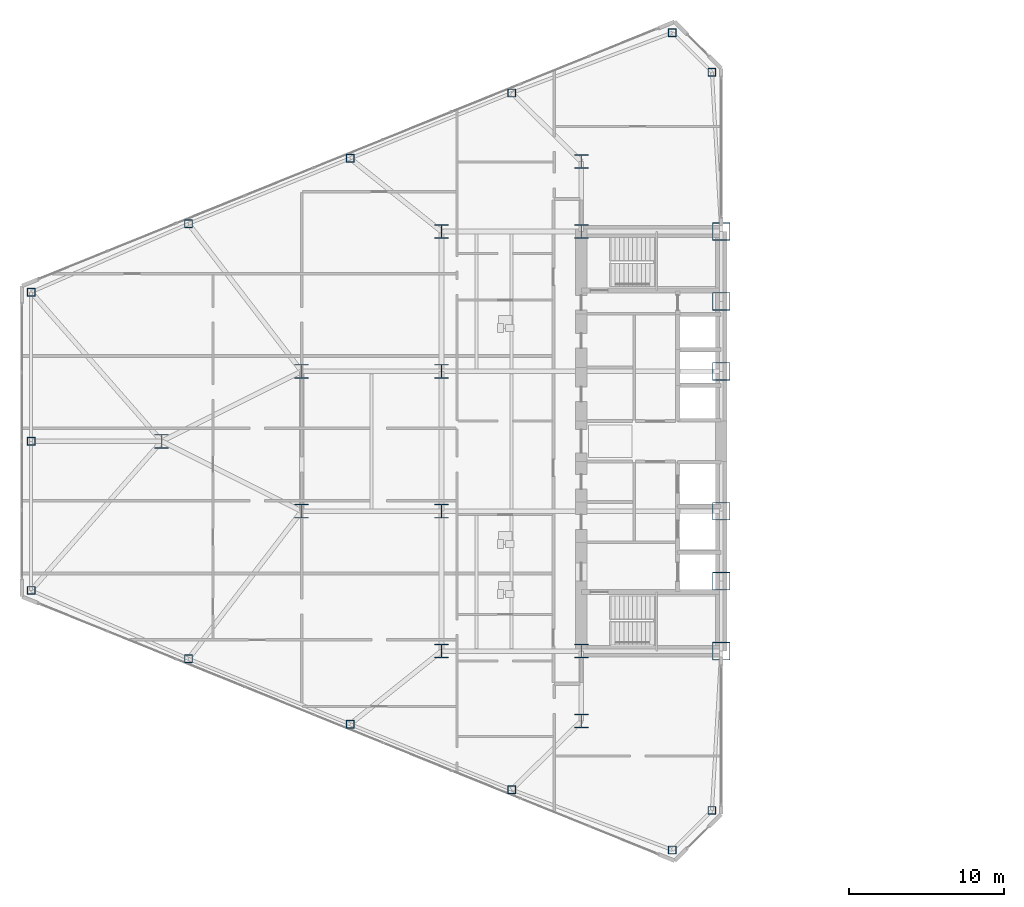
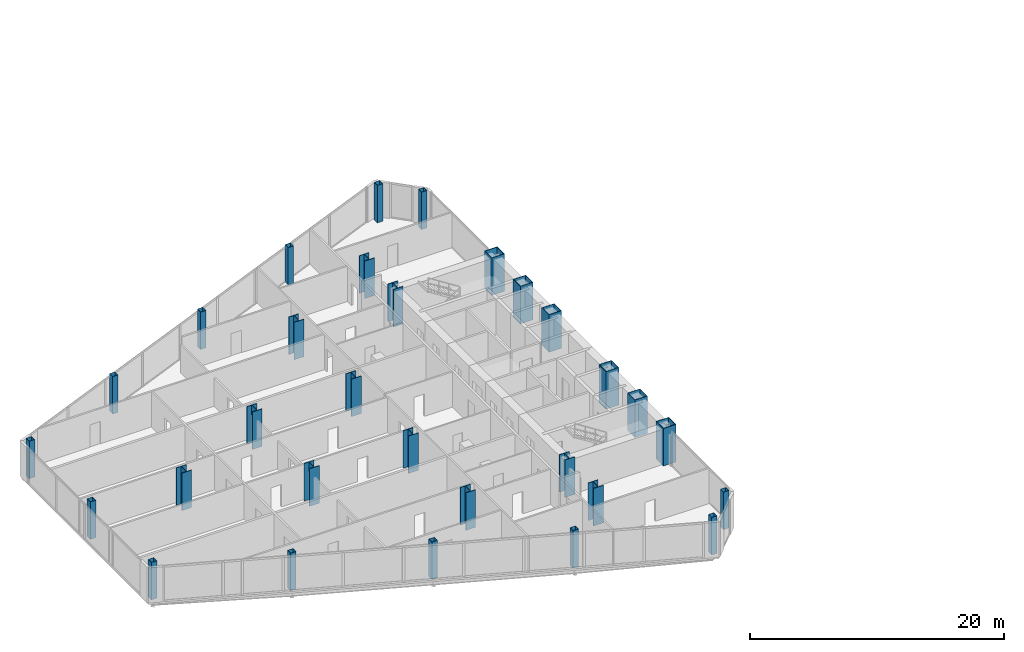
# One storey, part 1 of 25: 30 columns.
"""IFC4 building model written with IfcOpenShell, lengths in metres."""

from ifc_helpers import new_model, si_unit, direction, frame, origin, origin_2d, place, context, subcontext, project, spatial, hollow_rectangle, i_section, extrude, source, transform, mapped, material, material_profile, profile_set, type_object, type_shapes, element, save


model = new_model("IFC4")

# Units and contexts
model_context = context("Model", 3, precision=1e-05, world=origin(), true_north=direction((0.0, 1.0)))
body_context = subcontext(model_context, "Body", "Model", "MODEL_VIEW")
ifc_project = project(units=[si_unit("LENGTHUNIT", "METRE"), si_unit("AREAUNIT", "SQUARE_METRE"), si_unit("VOLUMEUNIT", "CUBIC_METRE"), si_unit("PLANEANGLEUNIT", "RADIAN"), si_unit("MASSUNIT", "GRAM", prefix="KILO")], contexts=[model_context])

# Site, building, storey
site_placement = place(None, origin())
site = spatial("IfcSite", under=ifc_project, at=site_placement, CompositionType="ELEMENT")
building_placement = place(site_placement, origin())
building = spatial("IfcBuilding", under=site, at=building_placement, Name="Seokmaru Belvedere", CompositionType="ELEMENT")
storey_placement = place(building_placement, frame((0.0, 0.0, 47.699951171875)))
storey = spatial("IfcBuildingStorey", under=building, at=storey_placement, Name="L12", CompositionType="ELEMENT", Elevation=47.699951171875)

# Columns
ifc_material_1 = material(Name="Steel HSA650 (650 MPa)", Category="steel")
ifc_material_profile_1 = material_profile(ifc_material_1, hollow_rectangle(XDim=1.14990234375, YDim=1.14990234375, WallThickness=0.048095703125, at=origin_2d()), Name="BOX-1150x1150x48")
ifc_profile_set_1 = profile_set([ifc_material_profile_1], Name="Steel HSA650 (650 MPa)")
column_type_1 = type_object("IfcColumnType", Name="Portal Spine Column BOX-1150", PredefinedType="COLUMN", material=ifc_profile_set_1)
shared_shape_1 = source(origin(), body_context, "Body", "SweptSolid", [
    extrude(hollow_rectangle(XDim=1.14990234375, YDim=1.14990234375, WallThickness=0.048095703125, at=origin_2d()), origin(), (0.0, 0.0, 1.0), 3.60009765625),
])
type_shapes(column_type_1, [shared_shape_1])
for number, where, z_axis, x_axis, name in (
    (1, (-27.5, -13.5, 0.0), (0.0, 0.0, 1.0), (1.0, 0.0, 0.0), "L12 Column WS1"),
    (2, (-27.5, -9.0, 0.0), (0.0, 0.0, 1.0), (1.0, 0.0, 0.0), "L12 Column WS2"),
    (3, (-27.5, -4.5, 0.0), (0.0, 0.0, 1.0), (1.0, 0.0, 0.0), "L12 Column WS3"),
    (4, (-27.5, 4.5, 0.0), (0.0, 0.0, 1.0), (1.0, 0.0, 0.0), "L12 Column WS4"),
    (5, (-27.5, 9.0, 0.0), (0.0, 0.0, 1.0), (1.0, 0.0, 0.0), "L12 Column WS5"),
    (6, (-27.5, 13.5, 0.0), (0.0, 0.0, 1.0), (1.0, 0.0, 0.0), "L12 Column WS6"),
):
    element("IfcColumn", number, at=place(storey_placement, frame(where, z_axis=z_axis, x_axis=x_axis)), inside=storey, type_object=column_type_1, Name=name, PredefinedType="COLUMN", context=body_context, shape_type="MappedRepresentation", body=[
        mapped(shared_shape_1, transform((0.0, 0.0, 0.0), scale=1.0)),
    ])
ifc_material_profile_2 = material_profile(ifc_material_1, i_section(OverallWidth=0.89990234375, OverallDepth=0.89990234375, WebThickness=0.035888671875, FlangeThickness=0.054931640625, at=origin_2d()), Name="H-900x900x36x55")
ifc_profile_set_2 = profile_set([ifc_material_profile_2], Name="Steel HSA650 (650 MPa)")
column_type_2 = type_object("IfcColumnType", Name="Lower Interior Column H-900", PredefinedType="COLUMN", material=ifc_profile_set_2)
shared_shape_2 = source(origin(), body_context, "Body", "SweptSolid", [
    extrude(i_section(OverallWidth=0.89990234375, OverallDepth=0.89990234375, WebThickness=0.035888671875, FlangeThickness=0.054931640625, at=origin_2d()), origin(), (0.0, 0.0, 1.0), 3.60009765625),
])
type_shapes(column_type_2, [shared_shape_2])
for number, where, z_axis, x_axis, name in (
    (7, (-36.5, -18.0, 0.0), (0.0, 0.0, 1.0), (1.0, 0.0, 0.0), "L12 Column WC1"),
    (8, (-36.5, -13.5, 0.0), (0.0, 0.0, 1.0), (1.0, 0.0, 0.0), "L12 Column WC2"),
    (9, (-36.5, 13.5, 0.0), (0.0, 0.0, 1.0), (1.0, 0.0, 0.0), "L12 Column WC3"),
    (10, (-36.5, 18.0, 0.0), (0.0, 0.0, 1.0), (1.0, 0.0, 0.0), "L12 Column WC4"),
    (11, (-45.5, -13.5, 0.0), (0.0, 0.0, 1.0), (1.0, 0.0, 0.0), "L12 Column WG5_1"),
    (12, (-45.5, -4.5, 0.0), (0.0, 0.0, 1.0), (1.0, 0.0, 0.0), "L12 Column WG5_2"),
    (13, (-45.5, 4.5, 0.0), (0.0, 0.0, 1.0), (1.0, 0.0, 0.0), "L12 Column WG5_3"),
    (14, (-45.5, 13.5, 0.0), (0.0, 0.0, 1.0), (1.0, 0.0, 0.0), "L12 Column WG5_4"),
    (15, (-54.5, -4.5, 0.0), (0.0, 0.0, 1.0), (1.0, 0.0, 0.0), "L12 Column WG4P_1"),
    (16, (-54.5, 4.5, 0.0), (0.0, 0.0, 1.0), (1.0, 0.0, 0.0), "L12 Column WG4P_2"),
    (17, (-63.5, 0.0, 0.0), (0.0, 0.0, 1.0), (1.0, 0.0, 0.0), "L12 Column WG3P_1"),
):
    element("IfcColumn", number, at=place(storey_placement, frame(where, z_axis=z_axis, x_axis=x_axis)), inside=storey, type_object=column_type_2, Name=name, PredefinedType="COLUMN", context=body_context, shape_type="MappedRepresentation", body=[
        mapped(shared_shape_2, transform((0.0, 0.0, 0.0), scale=1.0)),
    ])
ifc_material_2 = material(Name="Steel SM355 (355 MPa)", Category="steel")
ifc_material_profile_3 = material_profile(ifc_material_2, hollow_rectangle(XDim=0.5, YDim=0.5, WallThickness=0.02001953125, at=origin_2d()), Name="HSS-500x500x20")
ifc_profile_set_3 = profile_set([ifc_material_profile_3], Name="Steel SM355 (355 MPa)")
column_type_3 = type_object("IfcColumnType", Name="Perimeter Facet Column HSS-500", PredefinedType="COLUMN", material=ifc_profile_set_3)
shared_shape_3 = source(origin(), body_context, "Body", "SweptSolid", [
    extrude(hollow_rectangle(XDim=0.5, YDim=0.5, WallThickness=0.02001953125, at=origin_2d()), origin(), (0.0, 0.0, 1.0), 3.60009765625),
])
type_shapes(column_type_3, [shared_shape_3])
for number, where, z_axis, x_axis, name in (
    (18, (-28.10009765625, -23.75146484375, 0.0), (0.0, 0.0, 1.0), (1.0, 0.0, 0.0), "L12 Column WF1"),
    (19, (-28.10009765625, 23.75146484375, 0.0), (0.0, 0.0, 1.0), (1.0, 0.0, 0.0), "L12 Column WF2"),
    (20, (-30.643310546875, 26.294677734375, 0.0), (0.0, 0.0, 1.0), (1.0, 0.0, 0.0), "L12 Column WF3"),
    (21, (-71.89990234375, 9.595703125, 0.0), (0.0, 0.0, 1.0), (1.0, 0.0, 0.0), "L12 Column WF4"),
    (22, (-71.89990234375, -9.595703125, 0.0), (0.0, 0.0, 1.0), (1.0, 0.0, 0.0), "L12 Column WF5"),
    (23, (-30.643310546875, -26.294677734375, 0.0), (0.0, 0.0, 1.0), (1.0, 0.0, 0.0), "L12 Column WF6"),
    (24, (-40.977294921875, -22.4140625, 0.0), (0.0, 0.0, 1.0), (1.0, 0.0, 0.0), "L12 Column WFLK_S1"),
    (25, (-51.378173828125, -18.2041015625, 0.0), (0.0, 0.0, 1.0), (1.0, 0.0, 0.0), "L12 Column WFLK_S2"),
    (26, (-61.779052734375, -13.994140625, 0.0), (0.0, 0.0, 1.0), (1.0, 0.0, 0.0), "L12 Column WFLK_S3"),
    (27, (-40.977294921875, 22.4140625, 0.0), (0.0, 0.0, 1.0), (1.0, 0.0, 0.0), "L12 Column WFLK_N1"),
    (28, (-51.378173828125, 18.2041015625, 0.0), (0.0, 0.0, 1.0), (1.0, 0.0, 0.0), "L12 Column WFLK_N2"),
    (29, (-61.779052734375, 13.994140625, 0.0), (0.0, 0.0, 1.0), (1.0, 0.0, 0.0), "L12 Column WFLK_N3"),
    (30, (-71.89990234375, 0.0, 0.0), (0.0, 0.0, 1.0), (1.0, 0.0, 0.0), "L12 Column WF_APXM"),
):
    element("IfcColumn", number, at=place(storey_placement, frame(where, z_axis=z_axis, x_axis=x_axis)), inside=storey, type_object=column_type_3, Name=name, PredefinedType="COLUMN", context=body_context, shape_type="MappedRepresentation", body=[
        mapped(shared_shape_3, transform((0.0, 0.0, 0.0), scale=1.0)),
    ])

save(model, "model.ifc")
